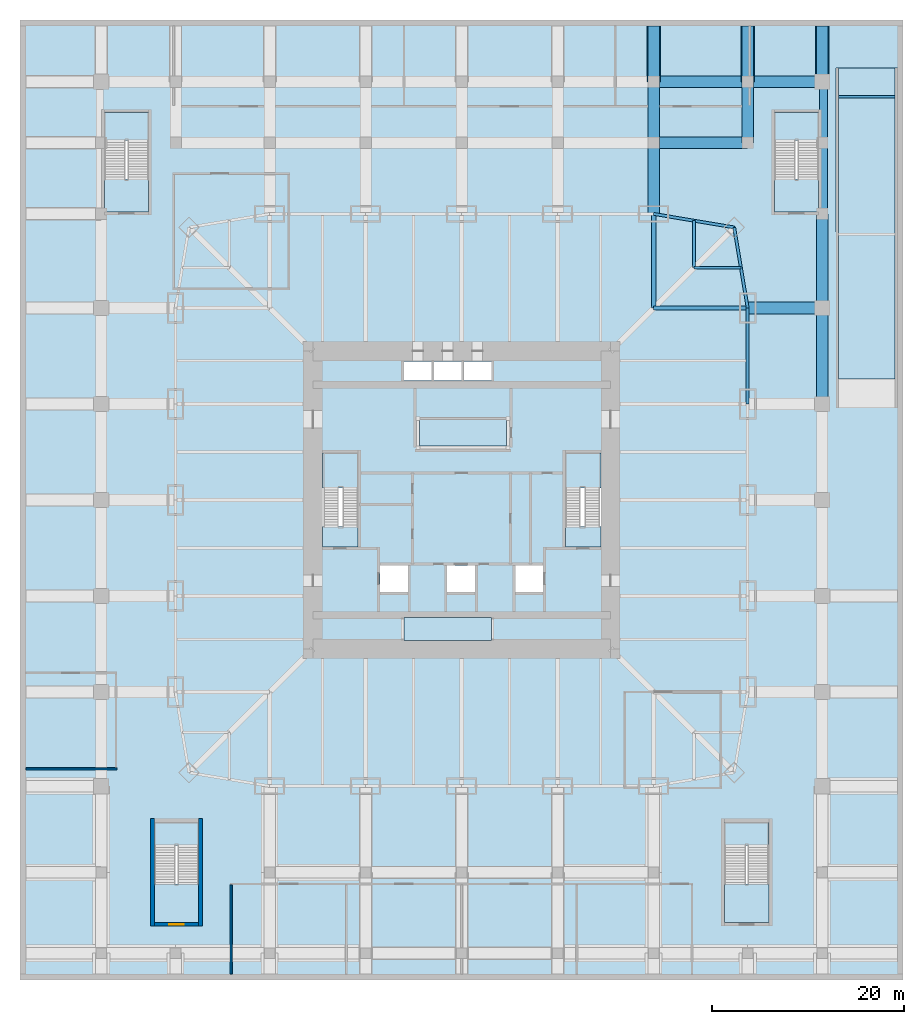
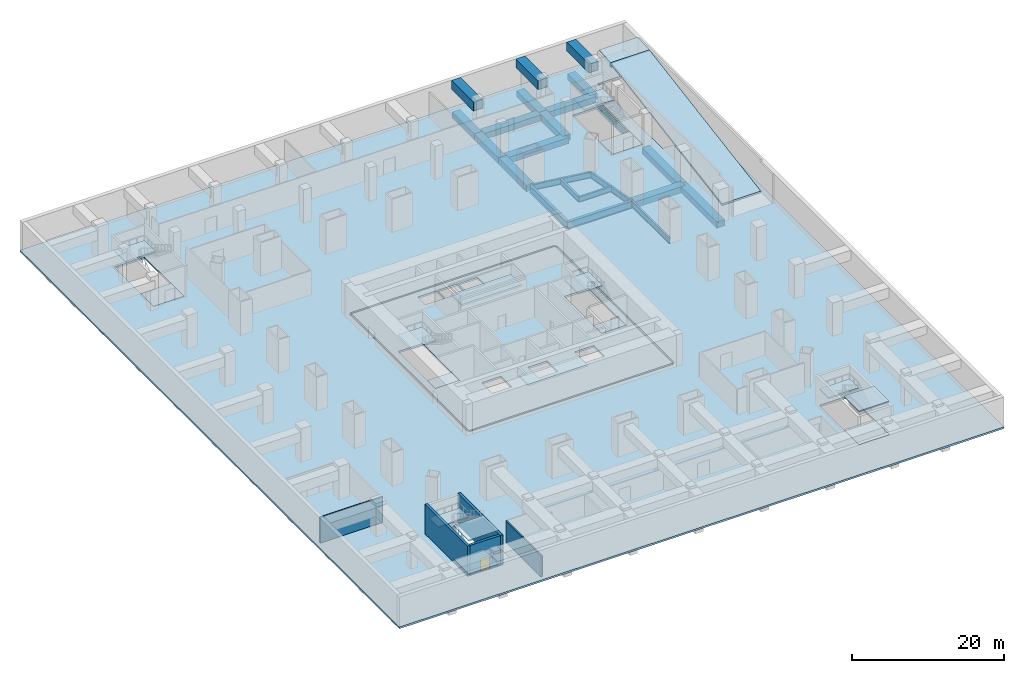
# One storey, part 4 of 12: 25 beams, 20 slabs, 5 walls, 1 door, 1 opening, 7 elements without a shape of their own.
"""IFC4 building model written with IfcOpenShell, lengths in metres."""

from ifc_helpers import new_model, si_unit, direction, frame, frame_2d, origin, origin_2d, place, context, subcontext, project, spatial, polyline, rectangle, i_section, outline, extrude, material, layer, layer_set, material_profile, profile_set, type_object, element, fill, aggregate, save


model = new_model("IFC4")

# Units and contexts
model_context = context("Model", 3, precision=1e-05, world=origin(), true_north=direction((0.0, 1.0)))
body_context = subcontext(model_context, "Body", "Model", "MODEL_VIEW")
ifc_project = project(units=[si_unit("LENGTHUNIT", "METRE"), si_unit("AREAUNIT", "SQUARE_METRE"), si_unit("VOLUMEUNIT", "CUBIC_METRE"), si_unit("PLANEANGLEUNIT", "RADIAN"), si_unit("MASSUNIT", "GRAM", prefix="KILO")], contexts=[model_context])

# Site, building, storey
site_placement = place(None, origin())
site = spatial("IfcSite", under=ifc_project, at=site_placement, CompositionType="ELEMENT")
building_placement = place(site_placement, origin())
building = spatial("IfcBuilding", under=site, at=building_placement, Name="Khuree Lantern Residences", CompositionType="ELEMENT")
storey_placement = place(building_placement, frame((0.0, 0.0, -5.39990234375)))
storey = spatial("IfcBuildingStorey", under=building, at=storey_placement, Name="B1", CompositionType="ELEMENT", Elevation=-5.39990234375)

# Beams
ifc_material_1 = material(Name="Steel S355", Category="steel")
ifc_material_profile_1 = material_profile(ifc_material_1, i_section(OverallWidth=0.300048828125, OverallDepth=0.89990234375, WebThickness=0.0185546875, FlangeThickness=0.034912109375, FilletRadius=0.030029296875, at=origin_2d()), Name="HE 900 B")
ifc_profile_set_1 = profile_set([ifc_material_profile_1], Name="Steel S355")
beam_type_1 = type_object("IfcBeamType", Name="B-B1 SECONDARY BEAM HE 900 B", PredefinedType="BEAM", material=ifc_profile_set_1)
for number, where, z_axis, x_axis, name in (
    (1, (24.197021484375, 29.09716796875, -0.75), (0.0, -1.0, 0.0), (1.0, 0.0, 0.0), "Secondary beam N5"),
    (2, (29.09716796875, 24.197021484375, -0.75), (-1.0, 0.0, 0.0), (0.0, -1.0, 0.0), "Secondary beam E1"),
):
    element("IfcBeam", number, at=place(storey_placement, frame(where, z_axis=z_axis, x_axis=x_axis)), inside=storey, type_object=beam_type_1, Name=name, PredefinedType="BEAM", context=body_context, shape_type="SweptSolid", body=[
        extrude(i_section(OverallWidth=0.300048828125, OverallDepth=0.89990234375, WebThickness=0.0185546875, FlangeThickness=0.034912109375, FilletRadius=0.030029296875, at=origin_2d()), origin(), (0.0, 0.0, 1.0), 4.900146484375),
    ])
ifc_material_profile_2 = material_profile(ifc_material_1, i_section(OverallWidth=0.300048828125, OverallDepth=1.0, WebThickness=0.01904296875, FlangeThickness=0.035888671875, FilletRadius=0.030029296875, at=origin_2d()), Name="HE 1000 B")
ifc_profile_set_2 = profile_set([ifc_material_profile_2], Name="Steel S355")
beam_type_2 = type_object("IfcBeamType", Name="E-B1 SPANDREL BEAM HE 1000 B", PredefinedType="SPANDREL", material=ifc_profile_set_2)
for number, where, z_axis, x_axis, name in (
    (3, (20.0, 29.800048828125, -0.800048828125), (0.986260251158, -0.165199022349, 0.0), (0.165199022349, 0.986260251158, 0.0), "Spandrel beam N5"),
    (4, (28.39404296875, 28.39404296875, -0.800048828125), (0.165199022349, -0.986260251158, 0.0), (0.986260251158, 0.165199022349, 0.0), "Spandrel beam E1"),
):
    element("IfcBeam", number, at=place(storey_placement, frame(where, z_axis=z_axis, x_axis=x_axis)), inside=storey, type_object=beam_type_2, Name=name, PredefinedType="SPANDREL", context=body_context, shape_type="SweptSolid", body=[
        extrude(i_section(OverallWidth=0.300048828125, OverallDepth=1.0, WebThickness=0.01904296875, FlangeThickness=0.035888671875, FilletRadius=0.030029296875, at=origin_2d()), origin(), (0.0, 0.0, 1.0), 8.510986328125),
    ])
beam_1_placement = place(storey_placement, frame((29.800048828125, 20.0, -0.800048828125), z_axis=(0.0, -1.0, 0.0), x_axis=(1.0, 0.0, 0.0)))
element("IfcBeam", 5, at=beam_1_placement, inside=storey, type_object=beam_type_2, Name="Spandrel beam E2", PredefinedType="SPANDREL", context=body_context, shape_type="SweptSolid", body=[
    extrude(i_section(OverallWidth=0.300048828125, OverallDepth=1.0, WebThickness=0.01904296875, FlangeThickness=0.035888671875, FilletRadius=0.030029296875, at=origin_2d()), origin(), (0.0, 0.0, 1.0), 10.0),
])
ifc_material_profile_3 = material_profile(ifc_material_1, i_section(OverallWidth=0.449951171875, OverallDepth=1.199951171875, WebThickness=0.02490234375, FlangeThickness=0.044921875, at=origin_2d()), Name="WELDED I 1200X450X25X45")
ifc_profile_set_3 = profile_set([ifc_material_profile_3], Name="Steel S355")
beam_type_3 = type_object("IfcBeamType", Name="G-B1 GIRDER WELDED I 1200X450X25X45", PredefinedType="BEAM", material=ifc_profile_set_3)
for number, where, z_axis, x_axis, name in (
    (6, (20.0, 29.800048828125, -0.900146484375), (0.0, -1.0, 0.0), (1.0, 0.0, 0.0), "Girder N5"),
    (7, (29.800048828125, 20.0, -0.900146484375), (-1.0, 0.0, 0.0), (0.0, -1.0, 0.0), "Girder E1"),
):
    element("IfcBeam", number, at=place(storey_placement, frame(where, z_axis=z_axis, x_axis=x_axis)), inside=storey, type_object=beam_type_3, Name=name, PredefinedType="BEAM", context=body_context, shape_type="SweptSolid", body=[
        extrude(i_section(OverallWidth=0.449951171875, OverallDepth=1.199951171875, WebThickness=0.02490234375, FlangeThickness=0.044921875, at=origin_2d()), origin(), (0.0, 0.0, 1.0), 9.800048828125),
    ])
ifc_material_2 = material(Name="Concrete C40/50", Category="concrete")
ifc_material_profile_4 = material_profile(ifc_material_2, rectangle(XDim=0.300048828125, YDim=0.449951171875, at=origin_2d()), Name="RC 300X450")
ifc_profile_set_4 = profile_set([ifc_material_profile_4], Name="Concrete C40/50")
beam_type_4 = type_object("IfcBeamType", Name="RAMP BEAM RMB1 RC 300X450", PredefinedType="BEAM", material=ifc_profile_set_4)
beam_2_placement = place(storey_placement, frame((39.25, 42.0, 4.6748046875), z_axis=(1.0, 0.0, 0.0), x_axis=(0.0, 1.0, 0.0)))
element("IfcBeam", 8, at=beam_2_placement, inside=storey, type_object=beam_type_4, Name="Car park ramp, street to B1 joint beam", PredefinedType="BEAM", context=body_context, shape_type="SweptSolid", body=[
    extrude(rectangle(XDim=0.300048828125, YDim=0.449951171875, at=origin_2d()), origin(), (0.0, 0.0, 1.0), 5.89990234375),
])
ifc_material_profile_5 = material_profile(ifc_material_2, rectangle(XDim=1.199951171875, YDim=1.0, at=origin_2d()), Name="RC 1200X1000")
ifc_profile_set_5 = profile_set([ifc_material_profile_5], Name="Concrete C40/50")
beam_type_5 = type_object("IfcBeamType", Name="RB1 BASEMENT BEAM RC 1200X1000", PredefinedType="BEAM", material=ifc_profile_set_5)
beam_3_placement = place(storey_placement, frame((29.800048828125, 20.0, -0.800048828125), z_axis=(1.0, 0.0, 0.0), x_axis=(0.0, 1.0, 0.0)))
element("IfcBeam", 9, at=beam_3_placement, inside=storey, type_object=beam_type_5, Name="Basement beam RB-35", PredefinedType="BEAM", context=body_context, shape_type="SweptSolid", body=[
    extrude(rectangle(XDim=1.199951171875, YDim=1.0, at=origin_2d()), origin(), (0.0, 0.0, 1.0), 7.75),
])
for number, where, z_axis, x_axis, name in (
    (10, (20.0, 37.199951171875, -0.800048828125), (1.0, 0.0, 0.0), (0.0, 1.0, 0.0), "Basement beam RB-43"),
    (11, (20.0, 43.550048828125, -0.800048828125), (1.0, 0.0, 0.0), (0.0, 1.0, 0.0), "Basement beam RB-51"),
):
    element("IfcBeam", number, at=place(storey_placement, frame(where, z_axis=z_axis, x_axis=x_axis)), inside=storey, type_object=beam_type_5, Name=name, PredefinedType="BEAM", context=body_context, shape_type="SweptSolid", body=[
        extrude(rectangle(XDim=1.199951171875, YDim=1.0, at=origin_2d()), origin(), (0.0, 0.0, 1.0), 9.800048828125),
    ])
beam_4_placement = place(storey_placement, frame((29.800048828125, 43.550048828125, -0.800048828125), z_axis=(1.0, 0.0, 0.0), x_axis=(0.0, 1.0, 0.0)))
element("IfcBeam", 12, at=beam_4_placement, inside=storey, type_object=beam_type_5, Name="Basement beam RB-52", PredefinedType="BEAM", context=body_context, shape_type="SweptSolid", body=[
    extrude(rectangle(XDim=1.199951171875, YDim=1.0, at=origin_2d()), origin(), (0.0, 0.0, 1.0), 7.75),
])
beam_5_placement = place(storey_placement, frame((20.0, 29.800048828125, -0.800048828125), z_axis=(0.0, 1.0, 0.0), x_axis=(-1.0, 0.0, 0.0)))
element("IfcBeam", 13, at=beam_5_placement, inside=storey, type_object=beam_type_5, Name="Basement beam RB-95", PredefinedType="BEAM", context=body_context, shape_type="SweptSolid", body=[
    extrude(rectangle(XDim=1.199951171875, YDim=1.0, at=origin_2d()), origin(), (0.0, 0.0, 1.0), 7.39990234375),
])
beam_6_placement = place(storey_placement, frame((20.0, 37.199951171875, -0.800048828125), z_axis=(0.0, 1.0, 0.0), x_axis=(-1.0, 0.0, 0.0)))
element("IfcBeam", 14, at=beam_6_placement, inside=storey, type_object=beam_type_5, Name="Basement beam RB-96", PredefinedType="BEAM", context=body_context, shape_type="SweptSolid", body=[
    extrude(rectangle(XDim=1.199951171875, YDim=1.0, at=origin_2d()), origin(), (0.0, 0.0, 1.0), 6.35009765625),
])
beam_7_placement = place(storey_placement, frame((20.0, 43.550048828125, -0.800048828125), z_axis=(0.0, 1.0, 0.0), x_axis=(-1.0, 0.0, 0.0)))
element("IfcBeam", 15, at=beam_7_placement, inside=storey, type_object=beam_type_5, Name="Basement beam RB-97", PredefinedType="BEAM", context=body_context, shape_type="SweptSolid", body=[
    extrude(rectangle(XDim=1.199951171875, YDim=1.0, at=origin_2d()), origin(), (0.0, 0.0, 1.0), 5.849853515625),
])
beam_8_placement = place(storey_placement, frame((29.800048828125, 37.199951171875, -0.800048828125), z_axis=(0.0, 1.0, 0.0), x_axis=(-1.0, 0.0, 0.0)))
element("IfcBeam", 16, at=beam_8_placement, inside=storey, type_object=beam_type_5, Name="Basement beam RB-99", PredefinedType="BEAM", context=body_context, shape_type="SweptSolid", body=[
    extrude(rectangle(XDim=1.199951171875, YDim=1.0, at=origin_2d()), origin(), (0.0, 0.0, 1.0), 6.35009765625),
])
beam_9_placement = place(storey_placement, frame((29.800048828125, 43.550048828125, -0.800048828125), z_axis=(0.0, 1.0, 0.0), x_axis=(-1.0, 0.0, 0.0)))
element("IfcBeam", 17, at=beam_9_placement, inside=storey, type_object=beam_type_5, Name="Basement beam RB-100", PredefinedType="BEAM", context=body_context, shape_type="SweptSolid", body=[
    extrude(rectangle(XDim=1.199951171875, YDim=1.0, at=origin_2d()), origin(), (0.0, 0.0, 1.0), 5.849853515625),
])
beam_10_placement = place(storey_placement, frame((37.550048828125, 10.0, -0.800048828125), z_axis=(0.0, 1.0, 0.0), x_axis=(-1.0, 0.0, 0.0)))
element("IfcBeam", 18, at=beam_10_placement, inside=storey, type_object=beam_type_5, Name="Basement beam RB-108", PredefinedType="BEAM", context=body_context, shape_type="SweptSolid", body=[
    extrude(rectangle(XDim=1.199951171875, YDim=1.0, at=origin_2d()), origin(), (0.0, 0.0, 1.0), 10.0),
])
beam_11_placement = place(storey_placement, frame((37.550048828125, 20.0, -0.800048828125), z_axis=(0.0, 1.0, 0.0), x_axis=(-1.0, 0.0, 0.0)))
element("IfcBeam", 19, at=beam_11_placement, inside=storey, type_object=beam_type_5, Name="Basement beam RB-109", PredefinedType="BEAM", context=body_context, shape_type="SweptSolid", body=[
    extrude(rectangle(XDim=1.199951171875, YDim=1.0, at=origin_2d()), origin(), (0.0, 0.0, 1.0), 9.800048828125),
])
beam_12_placement = place(storey_placement, frame((37.550048828125, 43.550048828125, -0.800048828125), z_axis=(0.0, 1.0, 0.0), x_axis=(-1.0, 0.0, 0.0)))
element("IfcBeam", 20, at=beam_12_placement, inside=storey, type_object=beam_type_5, Name="Basement beam RB-112", PredefinedType="BEAM", context=body_context, shape_type="SweptSolid", body=[
    extrude(rectangle(XDim=1.199951171875, YDim=1.0, at=origin_2d()), origin(), (0.0, 0.0, 1.0), 5.849853515625),
])
ifc_material_profile_6 = material_profile(ifc_material_2, rectangle(XDim=1.39990234375, YDim=1.39990234375, at=origin_2d()), Name="RC 1400X1400")
ifc_profile_set_6 = profile_set([ifc_material_profile_6], Name="Concrete C40/50")
beam_type_6 = type_object("IfcBeamType", Name="RB2 PLAZA DECK BEAM RC 1400X1400", PredefinedType="BEAM", material=ifc_profile_set_6)
for number, where, z_axis, x_axis, name in (
    (21, (20.0, 43.550048828125, 4.099853515625), (0.0, 1.0, 0.0), (-1.0, 0.0, 0.0), "Plaza deck beam DB-97"),
    (22, (29.800048828125, 43.550048828125, 4.099853515625), (0.0, 1.0, 0.0), (-1.0, 0.0, 0.0), "Plaza deck beam DB-100"),
    (23, (37.550048828125, 43.550048828125, 4.099853515625), (0.0, 1.0, 0.0), (-1.0, 0.0, 0.0), "Plaza deck beam DB-112"),
):
    element("IfcBeam", number, at=place(storey_placement, frame(where, z_axis=z_axis, x_axis=x_axis)), inside=storey, type_object=beam_type_6, Name=name, PredefinedType="BEAM", context=body_context, shape_type="SweptSolid", body=[
        extrude(rectangle(XDim=1.39990234375, YDim=1.39990234375, at=origin_2d()), origin(), (0.0, 0.0, 1.0), 5.849853515625),
    ])
ifc_material_profile_7 = material_profile(ifc_material_2, rectangle(XDim=0.800048828125, YDim=1.5, at=origin_2d()), Name="RC 800X1500")
ifc_profile_set_7 = profile_set([ifc_material_profile_7], Name="Concrete C40/50")
beam_type_7 = type_object("IfcBeamType", Name="RB6 BASEMENT BEAM AT STAIR RC 800X1500", PredefinedType="BEAM", material=ifc_profile_set_7)
beam_13_placement = place(storey_placement, frame((37.699951171875, 29.800048828125, -1.050048828125), z_axis=(0.0, 1.0, 0.0), x_axis=(-1.0, 0.0, 0.0)))
element("IfcBeam", 24, at=beam_13_placement, inside=storey, type_object=beam_type_7, Name="Basement beam at stair RB-110", PredefinedType="BEAM", context=body_context, shape_type="SweptSolid", body=[
    extrude(rectangle(XDim=0.800048828125, YDim=1.5, at=origin_2d()), origin(), (0.0, 0.0, 1.0), 7.39990234375),
])
beam_14_placement = place(storey_placement, frame((37.699951171875, 37.199951171875, -1.050048828125), z_axis=(0.0, 1.0, 0.0), x_axis=(-1.0, 0.0, 0.0)))
element("IfcBeam", 25, at=beam_14_placement, inside=storey, type_object=beam_type_7, Name="Basement beam at stair RB-111", PredefinedType="BEAM", context=body_context, shape_type="SweptSolid", body=[
    extrude(rectangle(XDim=0.800048828125, YDim=1.5, at=origin_2d()), origin(), (0.0, 0.0, 1.0), 6.35009765625),
])

# Slabs
ifc_material_3 = material(Name="Concrete C35/45", Category="concrete")
ifc_layer_1 = layer(ifc_material_3, 0.300048828125)
ifc_layer_set_1 = layer_set([ifc_layer_1], Name="CFL300 CORE FLOOR SLAB 300")
slab_type_1 = type_object("IfcSlabType", Name="CFL300 CORE FLOOR SLAB 300", PredefinedType="FLOOR", material=ifc_layer_set_1)
slab_1_placement = place(storey_placement, frame((0.0, 0.0, -0.300048828125)))
element("IfcSlab", 26, at=slab_1_placement, inside=storey, type_object=slab_type_1, Name="Core floor B1", PredefinedType="FLOOR", context=body_context, shape_type="SweptSolid", body=[
    extrude(outline(polyline([(-15.5, -15.5), (-15.5, 15.5), (15.5, 15.5), (15.5, -15.5), (-15.5, -15.5)]), holes=[polyline([(14.5, 4.89990234375), (10.800048828125, 4.89990234375), (10.800048828125, -4.89990234375), (14.5, -4.89990234375), (14.5, 4.89990234375)]), polyline([(8.5, -6.800048828125), (5.60009765625, -6.800048828125), (5.60009765625, -9.60009765625), (8.5, -9.60009765625), (8.5, -6.800048828125)]), polyline([(3.10009765625, 14.449951171875), (0.199951171875, 14.449951171875), (0.199951171875, 12.449951171875), (3.10009765625, 12.449951171875), (3.10009765625, 14.449951171875)]), polyline([(1.39990234375, -6.800048828125), (-1.5, -6.800048828125), (-1.5, -9.60009765625), (1.39990234375, -9.60009765625), (1.39990234375, -6.800048828125)]), polyline([(0.0, 14.449951171875), (-2.89990234375, 14.449951171875), (-2.89990234375, 12.449951171875), (0.0, 12.449951171875), (0.0, 14.449951171875)]), polyline([(-3.10009765625, 14.449951171875), (-6.0, 14.449951171875), (-6.0, 12.449951171875), (-3.10009765625, 12.449951171875), (-3.10009765625, 14.449951171875)]), polyline([(-5.60009765625, -6.800048828125), (-8.5, -6.800048828125), (-8.5, -9.60009765625), (-5.60009765625, -9.60009765625), (-5.60009765625, -6.800048828125)]), polyline([(-14.5, 4.89990234375), (-14.5, -4.89990234375), (-10.800048828125, -4.89990234375), (-10.800048828125, 4.89990234375), (-14.5, 4.89990234375)])]), origin(), (0.0, 0.0, 1.0), 0.300048828125),
])
ifc_layer_2 = layer(ifc_material_3, 0.300048828125)
ifc_layer_set_2 = layer_set([ifc_layer_2], Name="FS300 FLOOR SLAB 300")
slab_type_2 = type_object("IfcSlabType", Name="FS300 FLOOR SLAB 300", PredefinedType="FLOOR", material=ifc_layer_set_2)
slab_2_placement = place(storey_placement, frame((0.0, 0.0, -0.300048828125)))
element("IfcSlab", 27, at=slab_2_placement, inside=storey, type_object=slab_type_2, Name="Floor slab B1", PredefinedType="FLOOR", context=body_context, shape_type="SweptSolid", body=[
    extrude(outline(polyline([(-46.0, 50.0), (46.0, 50.0), (46.0, -50.0), (-46.0, -50.0), (-46.0, 50.0)]), holes=[polyline([(45.5, 45.0), (39.0, 45.0), (39.0, 27.89990234375), (45.5, 27.89990234375), (45.5, 45.0)]), polyline([(37.199951171875, 40.39990234375), (32.60009765625, 40.39990234375), (32.60009765625, 30.0), (37.199951171875, 30.0), (37.199951171875, 40.39990234375)]), polyline([(32.0, -33.60009765625), (27.39990234375, -33.60009765625), (27.39990234375, -44.0), (32.0, -44.0), (32.0, -33.60009765625)]), polyline([(15.75, 15.5), (15.5, 15.5), (15.5, 15.75), (-15.5, 15.75), (-15.5, 15.5), (-15.75, 15.5), (-15.75, -15.5), (-15.5, -15.5), (-15.5, -15.75), (15.5, -15.75), (15.5, -15.5), (15.75, -15.5), (15.75, 15.5)]), polyline([(-32.0, -33.60009765625), (-32.0, -44.0), (-27.39990234375, -44.0), (-27.39990234375, -33.60009765625), (-32.0, -33.60009765625)]), polyline([(-37.199951171875, 40.39990234375), (-37.199951171875, 30.0), (-32.60009765625, 30.0), (-32.60009765625, 40.39990234375), (-37.199951171875, 40.39990234375)])]), origin(), (0.0, 0.0, 1.0), 0.300048828125),
])
ifc_layer_3 = layer(ifc_material_2, 0.300048828125)
ifc_layer_set_3 = layer_set([ifc_layer_3], Name="LIFT PIT SLAB PS2 300")
slab_type_3 = type_object("IfcSlabType", Name="LIFT PIT SLAB PS2 300", PredefinedType="FLOOR", material=ifc_layer_set_3)
slab_3_placement = place(storey_placement, frame((0.0, 0.0, 3.2998046875)))
element("IfcSlab", 28, at=slab_3_placement, inside=storey, type_object=slab_type_3, Name="Lift bank PH pit slab", PredefinedType="FLOOR", context=body_context, shape_type="SweptSolid", body=[
    extrude(outline(polyline([(-4.39990234375, 5.60009765625), (4.699951171875, 5.60009765625), (4.699951171875, 8.39990234375), (-4.39990234375, 8.39990234375), (-4.39990234375, 5.60009765625)])), origin(), (0.0, 0.0, 1.0), 0.300048828125),
])
slab_4_placement = place(storey_placement, frame((0.0, 0.0, 3.2998046875)))
element("IfcSlab", 29, at=slab_4_placement, inside=storey, type_object=slab_type_3, Name="Lift bank PM pit slab", PredefinedType="FLOOR", context=body_context, shape_type="SweptSolid", body=[
    extrude(outline(polyline([(-6.0, -14.64990234375), (3.10009765625, -14.64990234375), (3.10009765625, -12.25), (-6.0, -12.25), (-6.0, -14.64990234375)])), origin(), (0.0, 0.0, 1.0), 0.300048828125),
])

# Ramp, slabs
ramp_placement = place(storey_placement, origin())
ramp = element("IfcRamp", 30, at=ramp_placement, inside=storey, Name="Car park ramp, street to B1", PredefinedType="STRAIGHT_RUN_RAMP")
ifc_layer_4 = layer(ifc_material_2, 0.25)
ifc_layer_set_4 = layer_set([ifc_layer_4], Name="RAMP SLAB RMS1 C40/50 250")
slab_type_4 = type_object("IfcSlabType", Name="RAMP SLAB RMS1 C40/50 250", PredefinedType="FLOOR", material=ifc_layer_set_4)
slab_5_placement = place(storey_placement, frame((39.25, 45.0, 5.39990234375), z_axis=(0.0, -0.083045479854, 0.996545758245), x_axis=(1.0, 0.0, 0.0)))
slab_5 = element("IfcSlab", 31, at=slab_5_placement, type_object=slab_type_4, Name="Car park ramp, street to B1 flight 1", PredefinedType="FLOOR", context=body_context, shape_type="SweptSolid", body=[
    extrude(outline(polyline([(0.0, 0.0), (5.89990234375, 0.0), (5.89990234375, -3.010398644698074), (0.0, -3.010398644698074), (0.0, 0.0)])), origin(), (0.0, -0.083045479854, -0.996545758245), 0.25),
])
slab_6_placement = place(storey_placement, frame((39.25, 42.0, 5.14990234375), z_axis=(0.0, -0.164396330716, 0.986394366593), x_axis=(1.0, 0.0, 0.0)))
slab_6 = element("IfcSlab", 32, at=slab_6_placement, type_object=slab_type_4, Name="Car park ramp, street to B1 flight 2", PredefinedType="FLOOR", context=body_context, shape_type="SweptSolid", body=[
    extrude(outline(polyline([(0.0, 0.0), (5.89990234375, 0.0), (5.89990234375, -29.80542401644914), (0.0, -29.80542401644914), (0.0, 0.0)])), origin(), (0.0, -0.164396330716, -0.986394366593), 0.25),
])
aggregate(ramp, [slab_5, slab_6])

# Stair, slabs
stair_type_1 = type_object("IfcStairType", Name="STAIR ST1 HALF TURN 3600", PredefinedType="HALF_TURN_STAIR", material=ifc_material_2)
stair_1_placement = place(storey_placement, origin())
stair_1 = element("IfcStair", 33, at=stair_1_placement, inside=storey, type_object=stair_type_1, Name="Stair ST1", PredefinedType="HALF_TURN_STAIR")
ifc_layer_5 = layer(ifc_material_2, 0.199951171875)
ifc_layer_set_5 = layer_set([ifc_layer_5], Name="STAIR LANDING SL1 200")
slab_type_5 = type_object("IfcSlabType", Name="STAIR LANDING SL1 200", PredefinedType="LANDING", material=ifc_layer_set_5)
slab_7_placement = place(storey_placement, frame((0.0, 0.0, -0.2001953125)))
slab_7 = element("IfcSlab", 34, at=slab_7_placement, type_object=slab_type_5, Name="ST1 landing 1", PredefinedType="LANDING", context=body_context, shape_type="SweptSolid", body=[
    extrude(outline(polyline([(-14.5, -4.89990234375), (-10.800048828125, -4.89990234375), (-10.800048828125, -2.760009765625), (-14.5, -2.760009765625), (-14.5, -4.89990234375)])), origin(), (0.0, 0.0, 1.0), 0.2001953125),
])
slab_8_placement = place(storey_placement, frame((0.0, 0.0, 2.5)))
slab_8 = element("IfcSlab", 35, at=slab_8_placement, type_object=slab_type_5, Name="ST1 landing 2", PredefinedType="LANDING", context=body_context, shape_type="SweptSolid", body=[
    extrude(outline(polyline([(-14.5, 1.239990234375), (-14.5, 4.89990234375), (-10.800048828125, 4.89990234375), (-10.800048828125, 1.239990234375), (-14.5, 1.239990234375)])), origin(), (0.0, 0.0, 1.0), 0.199951171875),
])
aggregate(stair_1, [slab_7, slab_8])

stair_2_placement = place(storey_placement, origin())
stair_2 = element("IfcStair", 36, at=stair_2_placement, inside=storey, type_object=stair_type_1, Name="Stair ST2", PredefinedType="HALF_TURN_STAIR")
slab_9_placement = place(storey_placement, frame((0.0, 0.0, -0.2001953125)))
slab_9 = element("IfcSlab", 37, at=slab_9_placement, type_object=slab_type_5, Name="ST2 landing 1", PredefinedType="LANDING", context=body_context, shape_type="SweptSolid", body=[
    extrude(outline(polyline([(10.800048828125, -4.89990234375), (14.5, -4.89990234375), (14.5, -2.760009765625), (10.800048828125, -2.760009765625), (10.800048828125, -4.89990234375)])), origin(), (0.0, 0.0, 1.0), 0.2001953125),
])
slab_10_placement = place(storey_placement, frame((0.0, 0.0, 2.5)))
slab_10 = element("IfcSlab", 38, at=slab_10_placement, type_object=slab_type_5, Name="ST2 landing 2", PredefinedType="LANDING", context=body_context, shape_type="SweptSolid", body=[
    extrude(outline(polyline([(14.5, 4.89990234375), (14.5, 1.239990234375), (10.800048828125, 1.239990234375), (10.800048828125, 4.89990234375), (14.5, 4.89990234375)])), origin(), (0.0, 0.0, 1.0), 0.199951171875),
])
aggregate(stair_2, [slab_9, slab_10])

stair_type_2 = type_object("IfcStairType", Name="STAIR ST3 HALF TURN 4600", PredefinedType="HALF_TURN_STAIR", material=ifc_material_2)
stair_3_placement = place(storey_placement, origin())
stair_3 = element("IfcStair", 39, at=stair_3_placement, inside=storey, type_object=stair_type_2, Name="Stair ST5", PredefinedType="HALF_TURN_STAIR")
slab_11_placement = place(storey_placement, frame((0.0, 0.0, -0.2001953125)))
slab_11 = element("IfcSlab", 40, at=slab_11_placement, type_object=slab_type_5, Name="ST5 landing 1", PredefinedType="LANDING", context=body_context, shape_type="SweptSolid", body=[
    extrude(outline(polyline([(-32.0, -44.0), (-27.39990234375, -44.0), (-27.39990234375, -40.0), (-32.0, -40.0), (-32.0, -44.0)])), origin(), (0.0, 0.0, 1.0), 0.2001953125),
])
slab_12_placement = place(storey_placement, frame((0.0, 0.0, 2.5)))
slab_12 = element("IfcSlab", 41, at=slab_12_placement, type_object=slab_type_5, Name="ST5 landing 2", PredefinedType="LANDING", context=body_context, shape_type="SweptSolid", body=[
    extrude(outline(polyline([(-32.0, -36.0), (-32.0, -33.60009765625), (-27.39990234375, -33.60009765625), (-27.39990234375, -36.0), (-32.0, -36.0)])), origin(), (0.0, 0.0, 1.0), 0.199951171875),
])
slab_13_placement = place(storey_placement, frame((0.0, 0.0, 5.199951171875)))
slab_13 = element("IfcSlab", 42, at=slab_13_placement, type_object=slab_type_5, Name="ST5 landing 3", PredefinedType="LANDING", context=body_context, shape_type="SweptSolid", body=[
    extrude(outline(polyline([(-32.0, -44.0), (-27.39990234375, -44.0), (-27.39990234375, -40.0), (-32.0, -40.0), (-32.0, -44.0)])), origin(), (0.0, 0.0, 1.0), 0.199951171875),
])
aggregate(stair_3, [slab_11, slab_12, slab_13])

stair_4_placement = place(storey_placement, origin())
stair_4 = element("IfcStair", 43, at=stair_4_placement, inside=storey, type_object=stair_type_2, Name="Stair ST6", PredefinedType="HALF_TURN_STAIR")
slab_14_placement = place(storey_placement, frame((0.0, 0.0, -0.2001953125)))
slab_14 = element("IfcSlab", 44, at=slab_14_placement, type_object=slab_type_5, Name="ST6 landing 1", PredefinedType="LANDING", context=body_context, shape_type="SweptSolid", body=[
    extrude(outline(polyline([(27.39990234375, -44.0), (32.0, -44.0), (32.0, -40.0), (27.39990234375, -40.0), (27.39990234375, -44.0)])), origin(), (0.0, 0.0, 1.0), 0.2001953125),
])
slab_15_placement = place(storey_placement, frame((0.0, 0.0, 2.5)))
slab_15 = element("IfcSlab", 45, at=slab_15_placement, type_object=slab_type_5, Name="ST6 landing 2", PredefinedType="LANDING", context=body_context, shape_type="SweptSolid", body=[
    extrude(outline(polyline([(32.0, -33.60009765625), (32.0, -36.0), (27.39990234375, -36.0), (27.39990234375, -33.60009765625), (32.0, -33.60009765625)])), origin(), (0.0, 0.0, 1.0), 0.199951171875),
])
slab_16_placement = place(storey_placement, frame((0.0, 0.0, 5.199951171875)))
slab_16 = element("IfcSlab", 46, at=slab_16_placement, type_object=slab_type_5, Name="ST6 landing 3", PredefinedType="LANDING", context=body_context, shape_type="SweptSolid", body=[
    extrude(outline(polyline([(27.39990234375, -44.0), (32.0, -44.0), (32.0, -40.0), (27.39990234375, -40.0), (27.39990234375, -44.0)])), origin(), (0.0, 0.0, 1.0), 0.199951171875),
])
aggregate(stair_4, [slab_14, slab_15, slab_16])

stair_5_placement = place(storey_placement, origin())
stair_5 = element("IfcStair", 47, at=stair_5_placement, inside=storey, type_object=stair_type_2, Name="Stair ST3", PredefinedType="HALF_TURN_STAIR")
slab_17_placement = place(storey_placement, frame((0.0, 0.0, -0.2001953125)))
slab_17 = element("IfcSlab", 48, at=slab_17_placement, type_object=slab_type_5, Name="ST3 landing 1", PredefinedType="LANDING", context=body_context, shape_type="SweptSolid", body=[
    extrude(outline(polyline([(-37.199951171875, 30.0), (-32.60009765625, 30.0), (-32.60009765625, 33.43994140625), (-37.199951171875, 33.43994140625), (-37.199951171875, 30.0)])), origin(), (0.0, 0.0, 1.0), 0.2001953125),
])
slab_18_placement = place(storey_placement, frame((0.0, 0.0, 2.5)))
slab_18 = element("IfcSlab", 49, at=slab_18_placement, type_object=slab_type_5, Name="ST3 landing 2", PredefinedType="LANDING", context=body_context, shape_type="SweptSolid", body=[
    extrude(outline(polyline([(-37.199951171875, 37.43994140625), (-37.199951171875, 40.39990234375), (-32.60009765625, 40.39990234375), (-32.60009765625, 37.43994140625), (-37.199951171875, 37.43994140625)])), origin(), (0.0, 0.0, 1.0), 0.199951171875),
])
aggregate(stair_5, [slab_17, slab_18])

stair_6_placement = place(storey_placement, origin())
stair_6 = element("IfcStair", 50, at=stair_6_placement, inside=storey, type_object=stair_type_2, Name="Stair ST4", PredefinedType="HALF_TURN_STAIR")
slab_19_placement = place(storey_placement, frame((0.0, 0.0, -0.2001953125)))
slab_19 = element("IfcSlab", 51, at=slab_19_placement, type_object=slab_type_5, Name="ST4 landing 1", PredefinedType="LANDING", context=body_context, shape_type="SweptSolid", body=[
    extrude(outline(polyline([(32.60009765625, 30.0), (37.199951171875, 30.0), (37.199951171875, 33.43994140625), (32.60009765625, 33.43994140625), (32.60009765625, 30.0)])), origin(), (0.0, 0.0, 1.0), 0.2001953125),
])
slab_20_placement = place(storey_placement, frame((0.0, 0.0, 2.5)))
slab_20 = element("IfcSlab", 52, at=slab_20_placement, type_object=slab_type_5, Name="ST4 landing 2", PredefinedType="LANDING", context=body_context, shape_type="SweptSolid", body=[
    extrude(outline(polyline([(37.199951171875, 40.39990234375), (37.199951171875, 37.43994140625), (32.60009765625, 37.43994140625), (32.60009765625, 40.39990234375), (37.199951171875, 40.39990234375)])), origin(), (0.0, 0.0, 1.0), 0.199951171875),
])
aggregate(stair_6, [slab_19, slab_20])

# Walls
ifc_material_4 = material(Name="Dense concrete blockwork", Category="masonry")
ifc_layer_6 = layer(ifc_material_4, 0.199951171875)
ifc_layer_set_6 = layer_set([ifc_layer_6], Name="FIRE-RATED ROOM WALL FRW200 EI 120")
wall_type_1 = type_object("IfcWallType", Name="FIRE-RATED ROOM WALL FRW200 EI 120", PredefinedType="SOLIDWALL", material=ifc_layer_set_6)
wall_1_placement = place(storey_placement, frame((-45.3798828125, -28.0, 0.0), z_axis=(0.0, 0.0, 1.0), x_axis=(1.0, 0.0, 0.0)))
element("IfcWall", 53, at=wall_1_placement, inside=storey, type_object=wall_type_1, Name="B1 ROOM WALL 12", PredefinedType="SOLIDWALL", context=body_context, shape_type="SweptSolid", body=[
    extrude(rectangle(XDim=9.47998046875, YDim=0.199951171875, at=frame_2d((4.739990234375, 0.0))), origin(), (0.0, 0.0, 1.0), 4.099853515625),
])
ifc_layer_7 = layer(ifc_material_4, 0.199951171875)
ifc_layer_set_7 = layer_set([ifc_layer_7], Name="ROOM WALL RMW200")
wall_type_2 = type_object("IfcWallType", Name="ROOM WALL RMW200", PredefinedType="SOLIDWALL", material=ifc_layer_set_7)
wall_2_placement = place(storey_placement, frame((-24.0, -49.3798828125, 0.0), z_axis=(0.0, 0.0, 1.0), x_axis=(0.0, 1.0, 0.0)))
element("IfcWall", 54, at=wall_2_placement, inside=storey, type_object=wall_type_2, Name="B1 ROOM WALL 1", PredefinedType="SOLIDWALL", context=body_context, shape_type="SweptSolid", body=[
    extrude(rectangle(XDim=9.27978515625, YDim=0.199951171875, at=frame_2d((4.639892578125, 0.0))), origin(), (0.0, 0.0, 1.0), 3.39990234375),
])
ifc_layer_8 = layer(ifc_material_2, 0.39990234375)
ifc_layer_set_8 = layer_set([ifc_layer_8], Name="STAIR WALL BSW400 REI 240")
wall_type_3 = type_object("IfcWallType", Name="STAIR WALL BSW400 REI 240", PredefinedType="SOLIDWALL", material=ifc_layer_set_8)
for number, where, z_axis, x_axis, name in (
    (55, (-32.199951171875, -44.39990234375, -0.300048828125), (0.0, 0.0, 1.0), (0.0, 1.0, 0.0), "B1 STAIR ST5 WALL W"),
    (56, (-27.199951171875, -44.39990234375, -0.300048828125), (0.0, 0.0, 1.0), (0.0, 1.0, 0.0), "B1 STAIR ST5 WALL E"),
):
    element("IfcWall", number, at=place(storey_placement, frame(where, z_axis=z_axis, x_axis=x_axis)), inside=storey, type_object=wall_type_3, Name=name, PredefinedType="SOLIDWALL", context=body_context, shape_type="SweptSolid", body=[
        extrude(rectangle(XDim=11.199951171875, YDim=0.39990234375, at=frame_2d((5.60009765625, 0.0))), origin(), (0.0, 0.0, 1.0), 5.099853515625),
    ])

# Wall, opening, door
wall_3_placement = place(storey_placement, frame((-32.0, -44.199951171875, -0.300048828125), z_axis=(0.0, 0.0, 1.0), x_axis=(1.0, 0.0, 0.0)))
wall_3 = element("IfcWall", 57, at=wall_3_placement, inside=storey, type_object=wall_type_3, Name="B1 STAIR ST5 WALL S", PredefinedType="SOLIDWALL", context=body_context, shape_type="SweptSolid", body=[
    extrude(rectangle(XDim=4.60009765625, YDim=0.39990234375, at=frame_2d((2.300048828125, 0.0))), origin(), (0.0, 0.0, 1.0), 5.099853515625),
])
opening_placement = place(wall_3_placement, frame((1.550048828125, 0.0, 0.300048828125)))
opening = element("IfcOpeningElement", 58, at=opening_placement, cuts=wall_3, Name="Opening B1-021", PredefinedType="OPENING", context=body_context, shape_type="SweptSolid", body=[
    extrude(rectangle(XDim=1.5, YDim=2.10009765625, at=frame_2d((0.75, 1.050048828125))), frame((0.0, 0.2099609375, 0.0), z_axis=(0.0, -1.0, 0.0), x_axis=(1.0, 0.0, 0.0)), (0.0, 0.0, 1.0), 0.419921875),
])
ifc_material_5 = material(Name="Steel door leaf in steel frame", Category="steel")
door_type = type_object("IfcDoorType", Name="STAIR DOOR 1500X2100 EI 120", OperationType="DOUBLE_DOOR_SINGLE_SWING", PredefinedType="DOOR", material=ifc_material_5)
door_placement = place(opening_placement, origin())
door = element("IfcDoor", 59, at=door_placement, inside=storey, type_object=door_type, Name="Stair ST5 door B1-021", OperationType="DOUBLE_DOOR_SINGLE_SWING", OverallHeight=2.10009765625, OverallWidth=1.5, PredefinedType="DOOR", context=body_context, shape_type="SweptSolid", body=[
    extrude(rectangle(XDim=1.5, YDim=2.10009765625, at=frame_2d((0.75, 1.050048828125))), frame((0.0, 0.02490234375, 0.0), z_axis=(0.0, -1.0, 0.0), x_axis=(1.0, 0.0, 0.0)), (0.0, 0.0, 1.0), 0.050048828125),
])
fill(opening, door)

save(model, "model.ifc")
